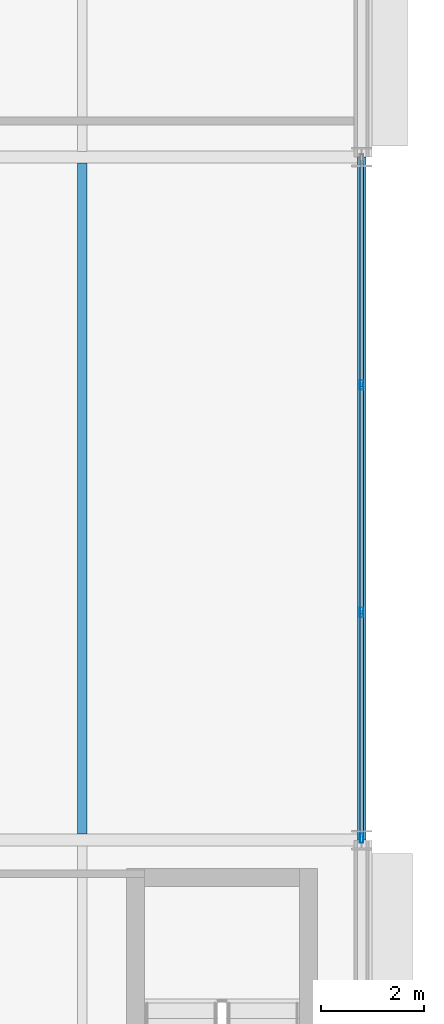
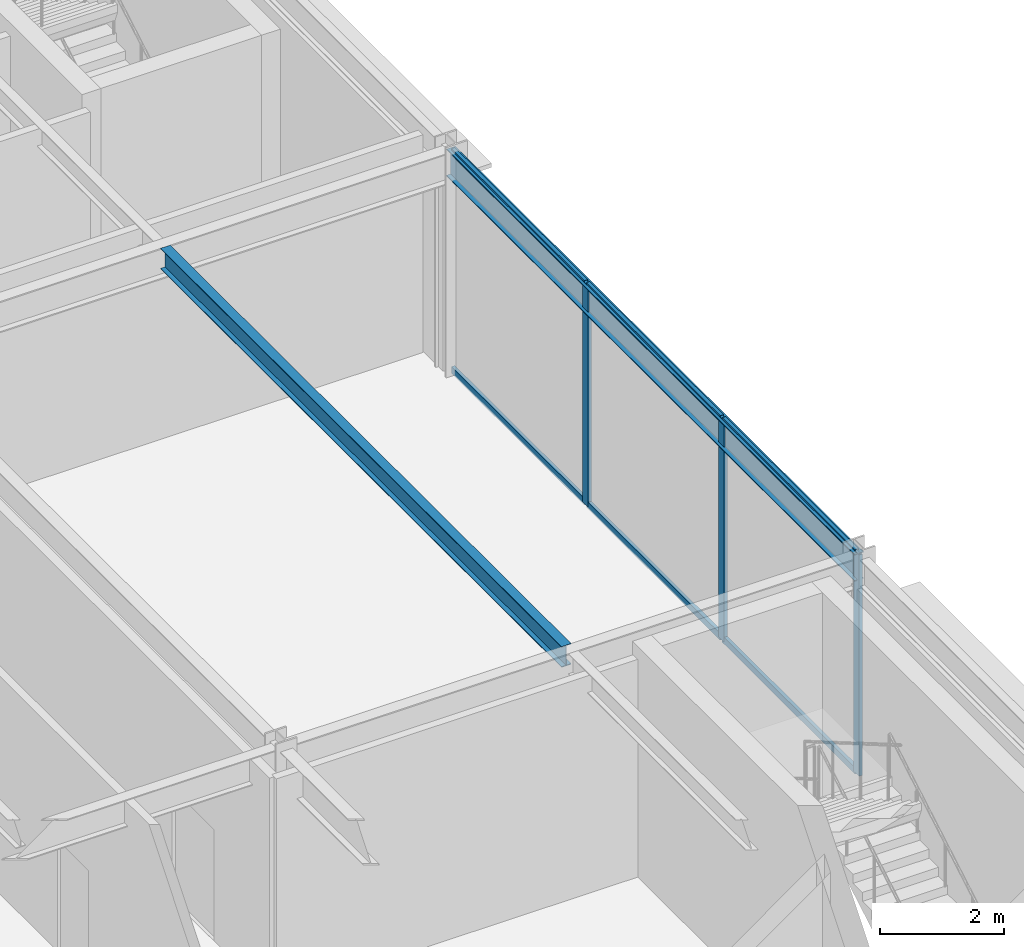
# One storey, part 90 of 133: 9 members, 2 beams, 1 element without a shape of its own.
"""IFC4 building model written with IfcOpenShell, lengths in metres."""

from ifc_helpers import new_model, si_unit, direction, frame, origin, origin_2d, place, context, subcontext, project, spatial, hollow_rectangle, i_section, extrude, material, material_profile, profile_set, type_object, element, aggregate, save


model = new_model("IFC4")

# Units and contexts
model_context = context("Model", 3, precision=1e-05, world=origin(), true_north=direction((0.0, 1.0)))
body_context = subcontext(model_context, "Body", "Model", "MODEL_VIEW")
ifc_project = project(units=[si_unit("LENGTHUNIT", "METRE"), si_unit("AREAUNIT", "SQUARE_METRE"), si_unit("VOLUMEUNIT", "CUBIC_METRE"), si_unit("PLANEANGLEUNIT", "RADIAN"), si_unit("MASSUNIT", "GRAM", prefix="KILO")], contexts=[model_context])

# Site, building, storey
site_placement = place(None, origin())
site = spatial("IfcSite", under=ifc_project, at=site_placement, CompositionType="ELEMENT")
building_placement = place(site_placement, origin())
building = spatial("IfcBuilding", under=site, at=building_placement, Name="Almandine Court Research Institute", CompositionType="ELEMENT")
storey_placement = place(building_placement, frame((0.0, 0.0, 9.800048828125)))
storey = spatial("IfcBuildingStorey", under=building, at=storey_placement, Name="L02", CompositionType="ELEMENT", Elevation=9.800048828125)

# Beams
ifc_material_1 = material(Name="Steel ASTM A992 Grade 50", Category="steel")
ifc_material_profile_1 = material_profile(ifc_material_1, i_section(OverallWidth=0.178955078125, OverallDepth=0.409912109375, WebThickness=0.009033203125, FlangeThickness=0.013916015625, at=origin_2d()), Name="W410x67")
ifc_profile_set_1 = profile_set([ifc_material_profile_1], Name="Steel ASTM A992 Grade 50")
beam_type_1 = type_object("IfcBeamType", Name="Beam-B-02", PredefinedType="JOIST", material=ifc_profile_set_1)
beam_1_placement = place(storey_placement, frame((168.60009765625, 57.712890625, 4.1650390625), z_axis=(0.0, 1.0, 0.0), x_axis=(-1.0, 0.0, 0.0)))
element("IfcBeam", 1, at=beam_1_placement, inside=storey, type_object=beam_type_1, Name="L02 V4 Composite Secondary Beam", PredefinedType="JOIST", context=body_context, shape_type="SweptSolid", body=[
    extrude(i_section(OverallWidth=0.178955078125, OverallDepth=0.409912109375, WebThickness=0.009033203125, FlangeThickness=0.013916015625, at=origin_2d()), origin(), (0.0, 0.0, 1.0), 12.97412109375),
])
ifc_material_profile_2 = material_profile(ifc_material_1, i_section(OverallWidth=0.166015625, OverallDepth=0.534912109375, WebThickness=0.010009765625, FlangeThickness=0.01708984375, at=origin_2d()), Name="W530x85")
ifc_profile_set_2 = profile_set([ifc_material_profile_2], Name="Steel ASTM A992 Grade 50")
beam_type_2 = type_object("IfcBeamType", Name="Beam-G-05-E", PredefinedType="SPANDREL", material=ifc_profile_set_2)
beam_2_placement = place(storey_placement, frame((174.0, 57.60009765625, 4.10205078125), z_axis=(0.0, 1.0, 0.0), x_axis=(-1.0, 0.0, 0.0)))
element("IfcBeam", 2, at=beam_2_placement, inside=storey, type_object=beam_type_2, Name="L02 V4 Primary Y Girder", PredefinedType="SPANDREL", context=body_context, shape_type="SweptSolid", body=[
    extrude(i_section(OverallWidth=0.166015625, OverallDepth=0.534912109375, WebThickness=0.010009765625, FlangeThickness=0.01708984375, at=origin_2d()), origin(), (0.0, 0.0, 1.0), 13.199951171875),
])

# Curtain wall, members
ifc_material_2 = material(Name="Unitised Curtain Wall Framing and Solar Glazing", Category="glass")
curtain_wall_type = type_object("IfcCurtainWallType", Name="CW-CWJ-15", PredefinedType="USERDEFINED", material=ifc_material_2)
curtain_wall_placement = place(storey_placement, origin())
curtain_wall = element("IfcCurtainWall", 3, at=curtain_wall_placement, inside=storey, type_object=curtain_wall_type, Name="L02 Wet Lab East Jali Curtain Wall 6", ObjectType="SOLAR JALI SCREEN", PredefinedType="USERDEFINED")
ifc_material_3 = material(Name="Anodised Aluminium AW-6063-T6", Category="aluminium")
ifc_material_profile_3 = material_profile(ifc_material_3, hollow_rectangle(XDim=0.06494140625, YDim=0.179931640625, WallThickness=0.00390625, at=origin_2d()), Name="ALU RHS 65x180x4")
ifc_profile_set_3 = profile_set([ifc_material_profile_3], Name="Anodised Aluminium AW-6063-T6")
member_type_1 = type_object("IfcMemberType", Name="CWMul-65x180", PredefinedType="MULLION", material=ifc_profile_set_3)
member_1_placement = place(storey_placement, frame((174.0, 66.398681640625, 0.0), z_axis=(0.0, 0.0, 1.0), x_axis=(1.0, 0.0, 0.0)))
member_1 = element("IfcMember", 4, at=member_1_placement, type_object=member_type_1, Name="CWJ-15 mullion 2", PredefinedType="MULLION", context=body_context, shape_type="SweptSolid", body=[
    extrude(hollow_rectangle(XDim=0.06494140625, YDim=0.179931640625, WallThickness=0.00390625, at=origin_2d()), origin(), (0.0, 0.0, 1.0), 4.369873046875),
])
member_2_placement = place(storey_placement, frame((174.0, 62.001220703125, 0.0), z_axis=(0.0, 0.0, 1.0), x_axis=(1.0, 0.0, 0.0)))
member_2 = element("IfcMember", 5, at=member_2_placement, type_object=member_type_1, Name="CWJ-15 mullion 3", PredefinedType="MULLION", context=body_context, shape_type="SweptSolid", body=[
    extrude(hollow_rectangle(XDim=0.06494140625, YDim=0.179931640625, WallThickness=0.00390625, at=origin_2d()), origin(), (0.0, 0.0, 1.0), 4.369873046875),
])
member_3_placement = place(storey_placement, frame((174.0, 57.636474609375, 0.0), z_axis=(0.0, 0.0, 1.0), x_axis=(1.0, 0.0, 0.0)))
member_3 = element("IfcMember", 6, at=member_3_placement, type_object=member_type_1, Name="CWJ-15 mullion 4", PredefinedType="MULLION", context=body_context, shape_type="SweptSolid", body=[
    extrude(hollow_rectangle(XDim=0.06494140625, YDim=0.179931640625, WallThickness=0.00390625, at=origin_2d()), origin(), (0.0, 0.0, 1.0), 4.369873046875),
])
ifc_material_profile_4 = material_profile(ifc_material_3, hollow_rectangle(XDim=0.06494140625, YDim=0.1298828125, WallThickness=0.00390625, at=origin_2d()), Name="ALU RHS 65x130x4")
ifc_profile_set_4 = profile_set([ifc_material_profile_4], Name="Anodised Aluminium AW-6063-T6")
member_type_2 = type_object("IfcMemberType", Name="CWTrn-65x130", PredefinedType="NOTDEFINED", material=ifc_profile_set_4)
member_4_placement = place(storey_placement, frame((174.0, 70.73095703125, 0.032470703125), z_axis=(0.0, -1.0, 0.0), x_axis=(1.0, 0.0, 0.0)))
member_4 = element("IfcMember", 7, at=member_4_placement, type_object=member_type_2, Name="CWJ-15 transom 1.1", ObjectType="TRANSOM", PredefinedType="USERDEFINED", context=body_context, shape_type="SweptSolid", body=[
    extrude(hollow_rectangle(XDim=0.06494140625, YDim=0.1298828125, WallThickness=0.00390625, at=origin_2d()), origin(), (0.0, 0.0, 1.0), 4.2998046875),
])
member_5_placement = place(storey_placement, frame((174.0, 70.73095703125, 4.33740234375), z_axis=(0.0, -1.0, 0.0), x_axis=(1.0, 0.0, 0.0)))
member_5 = element("IfcMember", 8, at=member_5_placement, type_object=member_type_2, Name="CWJ-15 transom 1.2", ObjectType="TRANSOM", PredefinedType="USERDEFINED", context=body_context, shape_type="SweptSolid", body=[
    extrude(hollow_rectangle(XDim=0.06494140625, YDim=0.1298828125, WallThickness=0.00390625, at=origin_2d()), origin(), (0.0, 0.0, 1.0), 4.2998046875),
])
member_6_placement = place(storey_placement, frame((174.0, 66.3662109375, 0.032470703125), z_axis=(0.0, -1.0, 0.0), x_axis=(1.0, 0.0, 0.0)))
member_6 = element("IfcMember", 9, at=member_6_placement, type_object=member_type_2, Name="CWJ-15 transom 2.1", ObjectType="TRANSOM", PredefinedType="USERDEFINED", context=body_context, shape_type="SweptSolid", body=[
    extrude(hollow_rectangle(XDim=0.06494140625, YDim=0.1298828125, WallThickness=0.00390625, at=origin_2d()), origin(), (0.0, 0.0, 1.0), 4.332275390625),
])
member_7_placement = place(storey_placement, frame((174.0, 66.3662109375, 4.33740234375), z_axis=(0.0, -1.0, 0.0), x_axis=(1.0, 0.0, 0.0)))
member_7 = element("IfcMember", 10, at=member_7_placement, type_object=member_type_2, Name="CWJ-15 transom 2.2", ObjectType="TRANSOM", PredefinedType="USERDEFINED", context=body_context, shape_type="SweptSolid", body=[
    extrude(hollow_rectangle(XDim=0.06494140625, YDim=0.1298828125, WallThickness=0.00390625, at=origin_2d()), origin(), (0.0, 0.0, 1.0), 4.332275390625),
])
member_8_placement = place(storey_placement, frame((174.0, 61.96875, 0.032470703125), z_axis=(0.0, -1.0, 0.0), x_axis=(1.0, 0.0, 0.0)))
member_8 = element("IfcMember", 11, at=member_8_placement, type_object=member_type_2, Name="CWJ-15 transom 3.1", ObjectType="TRANSOM", PredefinedType="USERDEFINED", context=body_context, shape_type="SweptSolid", body=[
    extrude(hollow_rectangle(XDim=0.06494140625, YDim=0.1298828125, WallThickness=0.00390625, at=origin_2d()), origin(), (0.0, 0.0, 1.0), 4.2998046875),
])
member_9_placement = place(storey_placement, frame((174.0, 61.96875, 4.33740234375), z_axis=(0.0, -1.0, 0.0), x_axis=(1.0, 0.0, 0.0)))
member_9 = element("IfcMember", 12, at=member_9_placement, type_object=member_type_2, Name="CWJ-15 transom 3.2", ObjectType="TRANSOM", PredefinedType="USERDEFINED", context=body_context, shape_type="SweptSolid", body=[
    extrude(hollow_rectangle(XDim=0.06494140625, YDim=0.1298828125, WallThickness=0.00390625, at=origin_2d()), origin(), (0.0, 0.0, 1.0), 4.2998046875),
])
aggregate(curtain_wall, [member_1, member_2, member_3, member_4, member_5, member_6, member_7, member_8, member_9])

save(model, "model.ifc")
